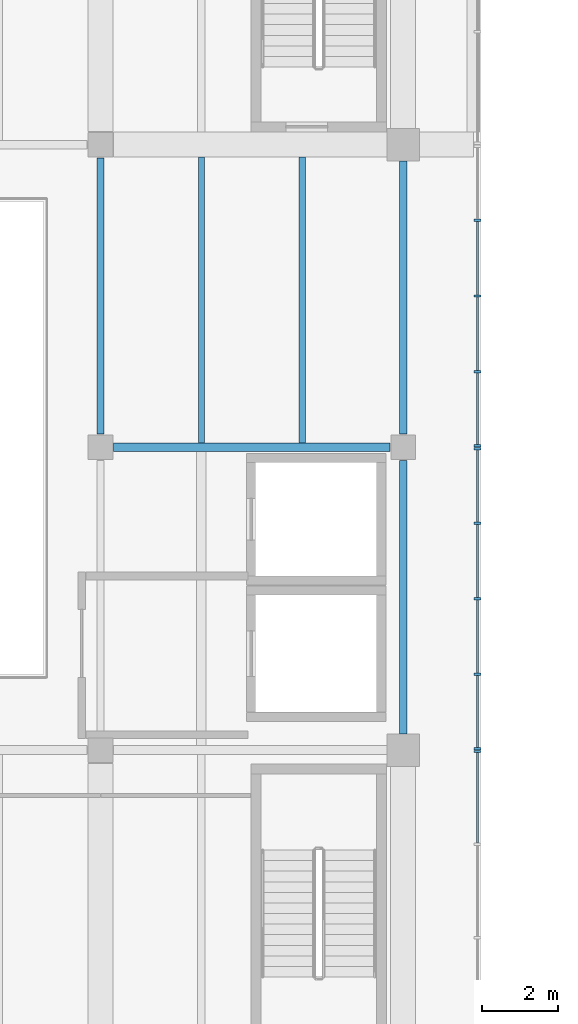
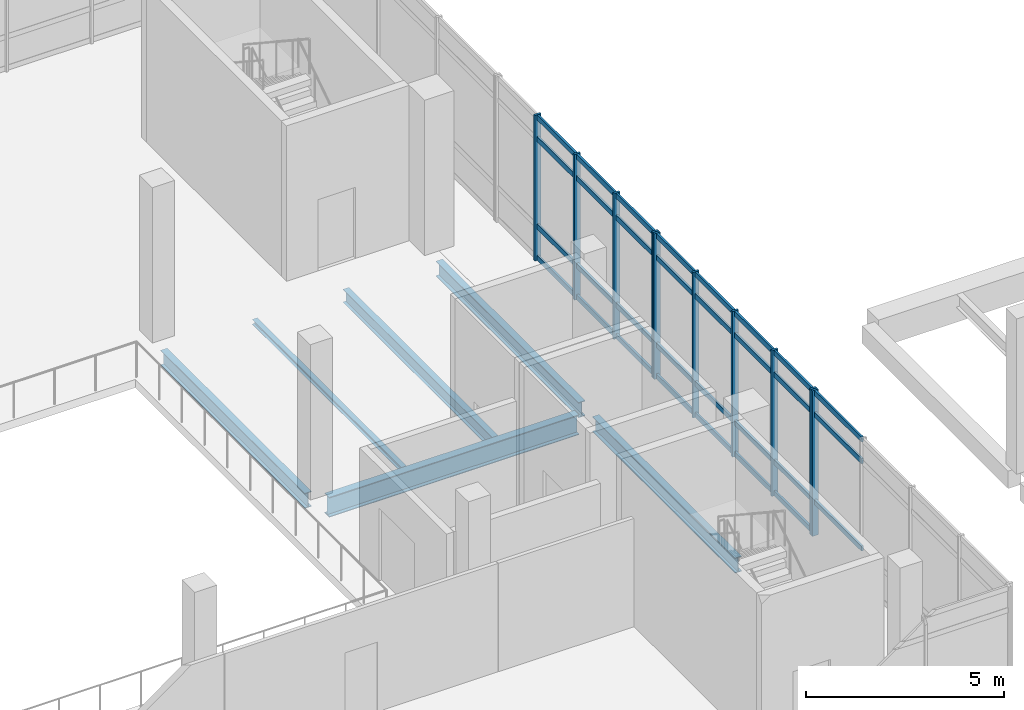
# One storey, part 8 of 28: 41 members, 6 beams, 3 elements without a shape of their own.
"""IFC4 building model written with IfcOpenShell, lengths in metres."""

from ifc_helpers import new_model, si_unit, direction, frame, origin, origin_2d, place, context, subcontext, project, spatial, rectangle, i_section, extrude, material, material_profile, profile_set, type_object, element, aggregate, save


model = new_model("IFC4")

# Units and contexts
model_context = context("Model", 3, precision=1e-05, world=origin(), true_north=direction((0.0, 1.0)))
body_context = subcontext(model_context, "Body", "Model", "MODEL_VIEW")
ifc_project = project(units=[si_unit("LENGTHUNIT", "METRE"), si_unit("AREAUNIT", "SQUARE_METRE"), si_unit("VOLUMEUNIT", "CUBIC_METRE"), si_unit("PLANEANGLEUNIT", "RADIAN"), si_unit("MASSUNIT", "GRAM", prefix="KILO")], contexts=[model_context])

# Site, building, storey
site_placement = place(None, origin())
site = spatial("IfcSite", under=ifc_project, at=site_placement, CompositionType="ELEMENT")
building_placement = place(site_placement, origin())
building = spatial("IfcBuilding", under=site, at=building_placement, Name="Pecanmere Concourse Central Library", CompositionType="ELEMENT")
storey_placement = place(building_placement, frame((0.0, 0.0, 20.10009765625)))
storey = spatial("IfcBuildingStorey", under=building, at=storey_placement, Name="L05", CompositionType="ELEMENT", Elevation=20.10009765625)

# Curtain wall, member
ifc_material_1 = material(Name="Anodized bronze aluminium alloy 6063-T6", Category="aluminium")
curtain_wall_type = type_object("IfcCurtainWallType", Name="CW_PLUMB_BANDED", PredefinedType="USERDEFINED", material=ifc_material_1)
curtain_wall_1_placement = place(storey_placement, origin())
curtain_wall_1 = element("IfcCurtainWall", 1, at=curtain_wall_1_placement, inside=storey, type_object=curtain_wall_type, Name="Unitised Curtain Wall CW-02 L05-062", ObjectType="UNITISED CURTAIN WALL", PredefinedType="USERDEFINED")
ifc_material_2 = material(Name="Anodized bronze aluminium alloy 6063-T6", Category="aluminium")
ifc_material_profile_1 = material_profile(ifc_material_2, rectangle(XDim=0.06494140625, YDim=0.179931640625, at=origin_2d()), Name="AL 65x180")
ifc_profile_set_1 = profile_set([ifc_material_profile_1], Name="Anodized bronze aluminium alloy 6063-T6")
member_type_1 = type_object("IfcMemberType", Name="CWM_180x65", PredefinedType="MULLION", material=ifc_profile_set_1)
member_1_placement = place(storey_placement, frame((105.96142578125, 97.96240234375, 0.0), z_axis=(0.0, 0.0, 1.0), x_axis=(0.0, 1.0, 0.0)))
member_1 = element("IfcMember", 2, at=member_1_placement, type_object=member_type_1, Name="CW-02 Mullion 5", PredefinedType="MULLION", context=body_context, shape_type="SweptSolid", body=[
    extrude(rectangle(XDim=0.06494140625, YDim=0.179931640625, at=origin_2d()), origin(), (0.0, 0.0, 1.0), 4.5),
])

# Curtain wall, members
curtain_wall_2_placement = place(storey_placement, origin())
curtain_wall_2 = element("IfcCurtainWall", 3, at=curtain_wall_2_placement, inside=storey, type_object=curtain_wall_type, Name="Unitised Curtain Wall CW-02 L05-063", ObjectType="UNITISED CURTAIN WALL", PredefinedType="USERDEFINED")
member_2_placement = place(storey_placement, frame((105.96142578125, 98.03759765625, 0.0), z_axis=(0.0, 0.0, 1.0), x_axis=(0.0, 1.0, 0.0)))
member_2 = element("IfcMember", 4, at=member_2_placement, type_object=member_type_1, Name="CW-02 Mullion 1", PredefinedType="MULLION", context=body_context, shape_type="SweptSolid", body=[
    extrude(rectangle(XDim=0.06494140625, YDim=0.179931640625, at=origin_2d()), origin(), (0.0, 0.0, 1.0), 4.5),
])
member_3_placement = place(storey_placement, frame((105.96142578125, 100.00244140625, 0.0), z_axis=(0.0, 0.0, 1.0), x_axis=(0.0, 1.0, 0.0)))
member_3 = element("IfcMember", 5, at=member_3_placement, type_object=member_type_1, Name="CW-02 Mullion 2", PredefinedType="MULLION", context=body_context, shape_type="SweptSolid", body=[
    extrude(rectangle(XDim=0.06494140625, YDim=0.179931640625, at=origin_2d()), origin(), (0.0, 0.0, 1.0), 4.5),
])
member_4_placement = place(storey_placement, frame((105.96142578125, 102.0, 0.0), z_axis=(0.0, 0.0, 1.0), x_axis=(0.0, 1.0, 0.0)))
member_4 = element("IfcMember", 6, at=member_4_placement, type_object=member_type_1, Name="CW-02 Mullion 3", PredefinedType="MULLION", context=body_context, shape_type="SweptSolid", body=[
    extrude(rectangle(XDim=0.06494140625, YDim=0.179931640625, at=origin_2d()), origin(), (0.0, 0.0, 1.0), 4.5),
])
member_5_placement = place(storey_placement, frame((105.96142578125, 103.99755859375, 0.0), z_axis=(0.0, 0.0, 1.0), x_axis=(0.0, 1.0, 0.0)))
member_5 = element("IfcMember", 7, at=member_5_placement, type_object=member_type_1, Name="CW-02 Mullion 4", PredefinedType="MULLION", context=body_context, shape_type="SweptSolid", body=[
    extrude(rectangle(XDim=0.06494140625, YDim=0.179931640625, at=origin_2d()), origin(), (0.0, 0.0, 1.0), 4.5),
])
member_6_placement = place(storey_placement, frame((105.96142578125, 105.96240234375, 0.0), z_axis=(0.0, 0.0, 1.0), x_axis=(0.0, 1.0, 0.0)))
member_6 = element("IfcMember", 8, at=member_6_placement, type_object=member_type_1, Name="CW-02 Mullion 5", PredefinedType="MULLION", context=body_context, shape_type="SweptSolid", body=[
    extrude(rectangle(XDim=0.06494140625, YDim=0.179931640625, at=origin_2d()), origin(), (0.0, 0.0, 1.0), 4.5),
])

curtain_wall_3_placement = place(storey_placement, origin())
curtain_wall_3 = element("IfcCurtainWall", 9, at=curtain_wall_3_placement, inside=storey, type_object=curtain_wall_type, Name="Unitised Curtain Wall CW-02 L05-064", ObjectType="UNITISED CURTAIN WALL", PredefinedType="USERDEFINED")
member_7_placement = place(storey_placement, frame((105.96142578125, 106.03759765625, 0.0), z_axis=(0.0, 0.0, 1.0), x_axis=(0.0, 1.0, 0.0)))
member_7 = element("IfcMember", 10, at=member_7_placement, type_object=member_type_1, Name="CW-02 Mullion 1", PredefinedType="MULLION", context=body_context, shape_type="SweptSolid", body=[
    extrude(rectangle(XDim=0.06494140625, YDim=0.179931640625, at=origin_2d()), origin(), (0.0, 0.0, 1.0), 4.5),
])
member_8_placement = place(storey_placement, frame((105.96142578125, 108.00244140625, 0.0), z_axis=(0.0, 0.0, 1.0), x_axis=(0.0, 1.0, 0.0)))
member_8 = element("IfcMember", 11, at=member_8_placement, type_object=member_type_1, Name="CW-02 Mullion 2", PredefinedType="MULLION", context=body_context, shape_type="SweptSolid", body=[
    extrude(rectangle(XDim=0.06494140625, YDim=0.179931640625, at=origin_2d()), origin(), (0.0, 0.0, 1.0), 4.5),
])
member_9_placement = place(storey_placement, frame((105.96142578125, 110.0, 0.0), z_axis=(0.0, 0.0, 1.0), x_axis=(0.0, 1.0, 0.0)))
member_9 = element("IfcMember", 12, at=member_9_placement, type_object=member_type_1, Name="CW-02 Mullion 3", PredefinedType="MULLION", context=body_context, shape_type="SweptSolid", body=[
    extrude(rectangle(XDim=0.06494140625, YDim=0.179931640625, at=origin_2d()), origin(), (0.0, 0.0, 1.0), 4.5),
])
member_10_placement = place(storey_placement, frame((105.96142578125, 111.99755859375, 0.0), z_axis=(0.0, 0.0, 1.0), x_axis=(0.0, 1.0, 0.0)))
member_10 = element("IfcMember", 13, at=member_10_placement, type_object=member_type_1, Name="CW-02 Mullion 4", PredefinedType="MULLION", context=body_context, shape_type="SweptSolid", body=[
    extrude(rectangle(XDim=0.06494140625, YDim=0.179931640625, at=origin_2d()), origin(), (0.0, 0.0, 1.0), 4.5),
])

# Member
ifc_material_3 = material(Name="Anodized bronze aluminium alloy 6063-T6", Category="aluminium")
ifc_material_profile_2 = material_profile(ifc_material_3, rectangle(XDim=0.06005859375, YDim=0.159912109375, at=origin_2d()), Name="AL 60x160")
ifc_profile_set_2 = profile_set([ifc_material_profile_2], Name="Anodized bronze aluminium alloy 6063-T6")
member_type_2 = type_object("IfcMemberType", Name="CWT_160x60", PredefinedType="USERDEFINED", material=ifc_profile_set_2)
member_11_placement = place(storey_placement, frame((105.96142578125, 95.54833984375, 1.0498046875), z_axis=(0.0, 1.0, 0.0), x_axis=(-1.0, 0.0, 0.0)))
member_11 = element("IfcMember", 14, at=member_11_placement, type_object=member_type_2, Name="CW-02 Transom 4.2", ObjectType="TRANSOM", PredefinedType="USERDEFINED", context=body_context, shape_type="SweptSolid", body=[
    extrude(rectangle(XDim=0.06005859375, YDim=0.159912109375, at=origin_2d()), origin(), (0.0, 0.0, 1.0), 2.381591796875),
])

member_12_placement = place(storey_placement, frame((105.96142578125, 95.54833984375, 3.75), z_axis=(0.0, 1.0, 0.0), x_axis=(-1.0, 0.0, 0.0)))
member_12 = element("IfcMember", 15, at=member_12_placement, type_object=member_type_2, Name="CW-02 Transom 4.3", ObjectType="TRANSOM", PredefinedType="USERDEFINED", context=body_context, shape_type="SweptSolid", body=[
    extrude(rectangle(XDim=0.06005859375, YDim=0.159912109375, at=origin_2d()), origin(), (0.0, 0.0, 1.0), 2.381591796875),
])

member_13_placement = place(storey_placement, frame((105.96142578125, 95.54833984375, 4.419921875), z_axis=(0.0, 1.0, 0.0), x_axis=(-1.0, 0.0, 0.0)))
member_13 = element("IfcMember", 16, at=member_13_placement, type_object=member_type_2, Name="CW-02 Transom 4.4", ObjectType="TRANSOM", PredefinedType="USERDEFINED", context=body_context, shape_type="SweptSolid", body=[
    extrude(rectangle(XDim=0.06005859375, YDim=0.159912109375, at=origin_2d()), origin(), (0.0, 0.0, 1.0), 2.381591796875),
])

aggregate(curtain_wall_1, [member_1, member_11, member_12, member_13])

member_14_placement = place(storey_placement, frame((105.96142578125, 98.070068359375, 0.079833984375), z_axis=(0.0, 1.0, 0.0), x_axis=(-1.0, 0.0, 0.0)))
member_14 = element("IfcMember", 17, at=member_14_placement, type_object=member_type_2, Name="CW-02 Transom 1.1", ObjectType="TRANSOM", PredefinedType="USERDEFINED", context=body_context, shape_type="SweptSolid", body=[
    extrude(rectangle(XDim=0.06005859375, YDim=0.159912109375, at=origin_2d()), origin(), (0.0, 0.0, 1.0), 1.89990234375),
])

member_15_placement = place(storey_placement, frame((105.96142578125, 98.070068359375, 1.0498046875), z_axis=(0.0, 1.0, 0.0), x_axis=(-1.0, 0.0, 0.0)))
member_15 = element("IfcMember", 18, at=member_15_placement, type_object=member_type_2, Name="CW-02 Transom 1.2", ObjectType="TRANSOM", PredefinedType="USERDEFINED", context=body_context, shape_type="SweptSolid", body=[
    extrude(rectangle(XDim=0.06005859375, YDim=0.159912109375, at=origin_2d()), origin(), (0.0, 0.0, 1.0), 1.89990234375),
])

member_16_placement = place(storey_placement, frame((105.96142578125, 98.070068359375, 3.75), z_axis=(0.0, 1.0, 0.0), x_axis=(-1.0, 0.0, 0.0)))
member_16 = element("IfcMember", 19, at=member_16_placement, type_object=member_type_2, Name="CW-02 Transom 1.3", ObjectType="TRANSOM", PredefinedType="USERDEFINED", context=body_context, shape_type="SweptSolid", body=[
    extrude(rectangle(XDim=0.06005859375, YDim=0.159912109375, at=origin_2d()), origin(), (0.0, 0.0, 1.0), 1.89990234375),
])

member_17_placement = place(storey_placement, frame((105.96142578125, 98.070068359375, 4.419921875), z_axis=(0.0, 1.0, 0.0), x_axis=(-1.0, 0.0, 0.0)))
member_17 = element("IfcMember", 20, at=member_17_placement, type_object=member_type_2, Name="CW-02 Transom 1.4", ObjectType="TRANSOM", PredefinedType="USERDEFINED", context=body_context, shape_type="SweptSolid", body=[
    extrude(rectangle(XDim=0.06005859375, YDim=0.159912109375, at=origin_2d()), origin(), (0.0, 0.0, 1.0), 1.89990234375),
])

member_18_placement = place(storey_placement, frame((105.96142578125, 100.034912109375, 0.079833984375), z_axis=(0.0, 1.0, 0.0), x_axis=(-1.0, 0.0, 0.0)))
member_18 = element("IfcMember", 21, at=member_18_placement, type_object=member_type_2, Name="CW-02 Transom 2.1", ObjectType="TRANSOM", PredefinedType="USERDEFINED", context=body_context, shape_type="SweptSolid", body=[
    extrude(rectangle(XDim=0.06005859375, YDim=0.159912109375, at=origin_2d()), origin(), (0.0, 0.0, 1.0), 1.9326171875),
])

member_19_placement = place(storey_placement, frame((105.96142578125, 100.034912109375, 1.0498046875), z_axis=(0.0, 1.0, 0.0), x_axis=(-1.0, 0.0, 0.0)))
member_19 = element("IfcMember", 22, at=member_19_placement, type_object=member_type_2, Name="CW-02 Transom 2.2", ObjectType="TRANSOM", PredefinedType="USERDEFINED", context=body_context, shape_type="SweptSolid", body=[
    extrude(rectangle(XDim=0.06005859375, YDim=0.159912109375, at=origin_2d()), origin(), (0.0, 0.0, 1.0), 1.9326171875),
])

member_20_placement = place(storey_placement, frame((105.96142578125, 100.034912109375, 3.75), z_axis=(0.0, 1.0, 0.0), x_axis=(-1.0, 0.0, 0.0)))
member_20 = element("IfcMember", 23, at=member_20_placement, type_object=member_type_2, Name="CW-02 Transom 2.3", ObjectType="TRANSOM", PredefinedType="USERDEFINED", context=body_context, shape_type="SweptSolid", body=[
    extrude(rectangle(XDim=0.06005859375, YDim=0.159912109375, at=origin_2d()), origin(), (0.0, 0.0, 1.0), 1.9326171875),
])

member_21_placement = place(storey_placement, frame((105.96142578125, 100.034912109375, 4.419921875), z_axis=(0.0, 1.0, 0.0), x_axis=(-1.0, 0.0, 0.0)))
member_21 = element("IfcMember", 24, at=member_21_placement, type_object=member_type_2, Name="CW-02 Transom 2.4", ObjectType="TRANSOM", PredefinedType="USERDEFINED", context=body_context, shape_type="SweptSolid", body=[
    extrude(rectangle(XDim=0.06005859375, YDim=0.159912109375, at=origin_2d()), origin(), (0.0, 0.0, 1.0), 1.9326171875),
])

member_22_placement = place(storey_placement, frame((105.96142578125, 102.032470703125, 0.079833984375), z_axis=(0.0, 1.0, 0.0), x_axis=(-1.0, 0.0, 0.0)))
member_22 = element("IfcMember", 25, at=member_22_placement, type_object=member_type_2, Name="CW-02 Transom 3.1", ObjectType="TRANSOM", PredefinedType="USERDEFINED", context=body_context, shape_type="SweptSolid", body=[
    extrude(rectangle(XDim=0.06005859375, YDim=0.159912109375, at=origin_2d()), origin(), (0.0, 0.0, 1.0), 1.9326171875),
])

member_23_placement = place(storey_placement, frame((105.96142578125, 102.032470703125, 1.0498046875), z_axis=(0.0, 1.0, 0.0), x_axis=(-1.0, 0.0, 0.0)))
member_23 = element("IfcMember", 26, at=member_23_placement, type_object=member_type_2, Name="CW-02 Transom 3.2", ObjectType="TRANSOM", PredefinedType="USERDEFINED", context=body_context, shape_type="SweptSolid", body=[
    extrude(rectangle(XDim=0.06005859375, YDim=0.159912109375, at=origin_2d()), origin(), (0.0, 0.0, 1.0), 1.9326171875),
])

member_24_placement = place(storey_placement, frame((105.96142578125, 102.032470703125, 3.75), z_axis=(0.0, 1.0, 0.0), x_axis=(-1.0, 0.0, 0.0)))
member_24 = element("IfcMember", 27, at=member_24_placement, type_object=member_type_2, Name="CW-02 Transom 3.3", ObjectType="TRANSOM", PredefinedType="USERDEFINED", context=body_context, shape_type="SweptSolid", body=[
    extrude(rectangle(XDim=0.06005859375, YDim=0.159912109375, at=origin_2d()), origin(), (0.0, 0.0, 1.0), 1.9326171875),
])

member_25_placement = place(storey_placement, frame((105.96142578125, 102.032470703125, 4.419921875), z_axis=(0.0, 1.0, 0.0), x_axis=(-1.0, 0.0, 0.0)))
member_25 = element("IfcMember", 28, at=member_25_placement, type_object=member_type_2, Name="CW-02 Transom 3.4", ObjectType="TRANSOM", PredefinedType="USERDEFINED", context=body_context, shape_type="SweptSolid", body=[
    extrude(rectangle(XDim=0.06005859375, YDim=0.159912109375, at=origin_2d()), origin(), (0.0, 0.0, 1.0), 1.9326171875),
])

member_26_placement = place(storey_placement, frame((105.96142578125, 104.030029296875, 0.079833984375), z_axis=(0.0, 1.0, 0.0), x_axis=(-1.0, 0.0, 0.0)))
member_26 = element("IfcMember", 29, at=member_26_placement, type_object=member_type_2, Name="CW-02 Transom 4.1", ObjectType="TRANSOM", PredefinedType="USERDEFINED", context=body_context, shape_type="SweptSolid", body=[
    extrude(rectangle(XDim=0.06005859375, YDim=0.159912109375, at=origin_2d()), origin(), (0.0, 0.0, 1.0), 1.89990234375),
])

member_27_placement = place(storey_placement, frame((105.96142578125, 104.030029296875, 1.0498046875), z_axis=(0.0, 1.0, 0.0), x_axis=(-1.0, 0.0, 0.0)))
member_27 = element("IfcMember", 30, at=member_27_placement, type_object=member_type_2, Name="CW-02 Transom 4.2", ObjectType="TRANSOM", PredefinedType="USERDEFINED", context=body_context, shape_type="SweptSolid", body=[
    extrude(rectangle(XDim=0.06005859375, YDim=0.159912109375, at=origin_2d()), origin(), (0.0, 0.0, 1.0), 1.89990234375),
])

member_28_placement = place(storey_placement, frame((105.96142578125, 104.030029296875, 3.75), z_axis=(0.0, 1.0, 0.0), x_axis=(-1.0, 0.0, 0.0)))
member_28 = element("IfcMember", 31, at=member_28_placement, type_object=member_type_2, Name="CW-02 Transom 4.3", ObjectType="TRANSOM", PredefinedType="USERDEFINED", context=body_context, shape_type="SweptSolid", body=[
    extrude(rectangle(XDim=0.06005859375, YDim=0.159912109375, at=origin_2d()), origin(), (0.0, 0.0, 1.0), 1.89990234375),
])

member_29_placement = place(storey_placement, frame((105.96142578125, 104.030029296875, 4.419921875), z_axis=(0.0, 1.0, 0.0), x_axis=(-1.0, 0.0, 0.0)))
member_29 = element("IfcMember", 32, at=member_29_placement, type_object=member_type_2, Name="CW-02 Transom 4.4", ObjectType="TRANSOM", PredefinedType="USERDEFINED", context=body_context, shape_type="SweptSolid", body=[
    extrude(rectangle(XDim=0.06005859375, YDim=0.159912109375, at=origin_2d()), origin(), (0.0, 0.0, 1.0), 1.89990234375),
])

aggregate(curtain_wall_2, [member_2, member_3, member_4, member_5, member_6, member_14, member_15, member_16, member_17, member_18, member_19, member_20, member_21, member_22, member_23, member_24, member_25, member_26, member_27, member_28, member_29])

member_30_placement = place(storey_placement, frame((105.96142578125, 106.070068359375, 0.079833984375), z_axis=(0.0, 1.0, 0.0), x_axis=(-1.0, 0.0, 0.0)))
member_30 = element("IfcMember", 33, at=member_30_placement, type_object=member_type_2, Name="CW-02 Transom 1.1", ObjectType="TRANSOM", PredefinedType="USERDEFINED", context=body_context, shape_type="SweptSolid", body=[
    extrude(rectangle(XDim=0.06005859375, YDim=0.159912109375, at=origin_2d()), origin(), (0.0, 0.0, 1.0), 1.89990234375),
])

member_31_placement = place(storey_placement, frame((105.96142578125, 106.070068359375, 1.0498046875), z_axis=(0.0, 1.0, 0.0), x_axis=(-1.0, 0.0, 0.0)))
member_31 = element("IfcMember", 34, at=member_31_placement, type_object=member_type_2, Name="CW-02 Transom 1.2", ObjectType="TRANSOM", PredefinedType="USERDEFINED", context=body_context, shape_type="SweptSolid", body=[
    extrude(rectangle(XDim=0.06005859375, YDim=0.159912109375, at=origin_2d()), origin(), (0.0, 0.0, 1.0), 1.89990234375),
])

member_32_placement = place(storey_placement, frame((105.96142578125, 106.070068359375, 3.75), z_axis=(0.0, 1.0, 0.0), x_axis=(-1.0, 0.0, 0.0)))
member_32 = element("IfcMember", 35, at=member_32_placement, type_object=member_type_2, Name="CW-02 Transom 1.3", ObjectType="TRANSOM", PredefinedType="USERDEFINED", context=body_context, shape_type="SweptSolid", body=[
    extrude(rectangle(XDim=0.06005859375, YDim=0.159912109375, at=origin_2d()), origin(), (0.0, 0.0, 1.0), 1.89990234375),
])

member_33_placement = place(storey_placement, frame((105.96142578125, 106.070068359375, 4.419921875), z_axis=(0.0, 1.0, 0.0), x_axis=(-1.0, 0.0, 0.0)))
member_33 = element("IfcMember", 36, at=member_33_placement, type_object=member_type_2, Name="CW-02 Transom 1.4", ObjectType="TRANSOM", PredefinedType="USERDEFINED", context=body_context, shape_type="SweptSolid", body=[
    extrude(rectangle(XDim=0.06005859375, YDim=0.159912109375, at=origin_2d()), origin(), (0.0, 0.0, 1.0), 1.89990234375),
])

member_34_placement = place(storey_placement, frame((105.96142578125, 108.034912109375, 0.079833984375), z_axis=(0.0, 1.0, 0.0), x_axis=(-1.0, 0.0, 0.0)))
member_34 = element("IfcMember", 37, at=member_34_placement, type_object=member_type_2, Name="CW-02 Transom 2.1", ObjectType="TRANSOM", PredefinedType="USERDEFINED", context=body_context, shape_type="SweptSolid", body=[
    extrude(rectangle(XDim=0.06005859375, YDim=0.159912109375, at=origin_2d()), origin(), (0.0, 0.0, 1.0), 1.9326171875),
])

member_35_placement = place(storey_placement, frame((105.96142578125, 108.034912109375, 1.0498046875), z_axis=(0.0, 1.0, 0.0), x_axis=(-1.0, 0.0, 0.0)))
member_35 = element("IfcMember", 38, at=member_35_placement, type_object=member_type_2, Name="CW-02 Transom 2.2", ObjectType="TRANSOM", PredefinedType="USERDEFINED", context=body_context, shape_type="SweptSolid", body=[
    extrude(rectangle(XDim=0.06005859375, YDim=0.159912109375, at=origin_2d()), origin(), (0.0, 0.0, 1.0), 1.9326171875),
])

member_36_placement = place(storey_placement, frame((105.96142578125, 108.034912109375, 3.75), z_axis=(0.0, 1.0, 0.0), x_axis=(-1.0, 0.0, 0.0)))
member_36 = element("IfcMember", 39, at=member_36_placement, type_object=member_type_2, Name="CW-02 Transom 2.3", ObjectType="TRANSOM", PredefinedType="USERDEFINED", context=body_context, shape_type="SweptSolid", body=[
    extrude(rectangle(XDim=0.06005859375, YDim=0.159912109375, at=origin_2d()), origin(), (0.0, 0.0, 1.0), 1.9326171875),
])

member_37_placement = place(storey_placement, frame((105.96142578125, 108.034912109375, 4.419921875), z_axis=(0.0, 1.0, 0.0), x_axis=(-1.0, 0.0, 0.0)))
member_37 = element("IfcMember", 40, at=member_37_placement, type_object=member_type_2, Name="CW-02 Transom 2.4", ObjectType="TRANSOM", PredefinedType="USERDEFINED", context=body_context, shape_type="SweptSolid", body=[
    extrude(rectangle(XDim=0.06005859375, YDim=0.159912109375, at=origin_2d()), origin(), (0.0, 0.0, 1.0), 1.9326171875),
])

member_38_placement = place(storey_placement, frame((105.96142578125, 110.032470703125, 0.079833984375), z_axis=(0.0, 1.0, 0.0), x_axis=(-1.0, 0.0, 0.0)))
member_38 = element("IfcMember", 41, at=member_38_placement, type_object=member_type_2, Name="CW-02 Transom 3.1", ObjectType="TRANSOM", PredefinedType="USERDEFINED", context=body_context, shape_type="SweptSolid", body=[
    extrude(rectangle(XDim=0.06005859375, YDim=0.159912109375, at=origin_2d()), origin(), (0.0, 0.0, 1.0), 1.9326171875),
])

member_39_placement = place(storey_placement, frame((105.96142578125, 110.032470703125, 1.0498046875), z_axis=(0.0, 1.0, 0.0), x_axis=(-1.0, 0.0, 0.0)))
member_39 = element("IfcMember", 42, at=member_39_placement, type_object=member_type_2, Name="CW-02 Transom 3.2", ObjectType="TRANSOM", PredefinedType="USERDEFINED", context=body_context, shape_type="SweptSolid", body=[
    extrude(rectangle(XDim=0.06005859375, YDim=0.159912109375, at=origin_2d()), origin(), (0.0, 0.0, 1.0), 1.9326171875),
])

member_40_placement = place(storey_placement, frame((105.96142578125, 110.032470703125, 3.75), z_axis=(0.0, 1.0, 0.0), x_axis=(-1.0, 0.0, 0.0)))
member_40 = element("IfcMember", 43, at=member_40_placement, type_object=member_type_2, Name="CW-02 Transom 3.3", ObjectType="TRANSOM", PredefinedType="USERDEFINED", context=body_context, shape_type="SweptSolid", body=[
    extrude(rectangle(XDim=0.06005859375, YDim=0.159912109375, at=origin_2d()), origin(), (0.0, 0.0, 1.0), 1.9326171875),
])

member_41_placement = place(storey_placement, frame((105.96142578125, 110.032470703125, 4.419921875), z_axis=(0.0, 1.0, 0.0), x_axis=(-1.0, 0.0, 0.0)))
member_41 = element("IfcMember", 44, at=member_41_placement, type_object=member_type_2, Name="CW-02 Transom 3.4", ObjectType="TRANSOM", PredefinedType="USERDEFINED", context=body_context, shape_type="SweptSolid", body=[
    extrude(rectangle(XDim=0.06005859375, YDim=0.159912109375, at=origin_2d()), origin(), (0.0, 0.0, 1.0), 1.9326171875),
])

aggregate(curtain_wall_3, [member_7, member_8, member_9, member_10, member_30, member_31, member_32, member_33, member_34, member_35, member_36, member_37, member_38, member_39, member_40, member_41])

# Beams
ifc_material_4 = material(Name="Structural steel ASTM A992 Grade 50", Category="steel")
ifc_material_profile_3 = material_profile(ifc_material_4, i_section(OverallWidth=0.152099609375, OverallDepth=0.152099609375, WebThickness=0.005859375, FlangeThickness=0.006591796875, at=origin_2d()), Name="W150x22.5")
ifc_profile_set_3 = profile_set([ifc_material_profile_3], Name="Structural steel ASTM A992 Grade 50")
beam_type_1 = type_object("IfcBeamType", Name="SBM_W150x22", PredefinedType="LINTEL", material=ifc_profile_set_3)
beam_1_placement = place(storey_placement, frame((98.666748046875, 106.114990234375, -0.356201171875), z_axis=(0.0, 1.0, 0.0), x_axis=(-1.0, 0.0, 0.0)))
element("IfcBeam", 45, at=beam_1_placement, inside=storey, type_object=beam_type_1, Name="Secondary Floor Joist L05-2595", PredefinedType="LINTEL", context=body_context, shape_type="SweptSolid", body=[
    extrude(i_section(OverallWidth=0.152099609375, OverallDepth=0.152099609375, WebThickness=0.005859375, FlangeThickness=0.006591796875, at=origin_2d()), origin(), (0.0, 0.0, 1.0), 7.554931640625),
])
ifc_material_5 = material(Name="Structural steel ASTM A992 Grade 50", Category="steel")
ifc_material_profile_4 = material_profile(ifc_material_5, i_section(OverallWidth=0.177978515625, OverallDepth=0.406982421875, WebThickness=0.0078125, FlangeThickness=0.0126953125, at=origin_2d()), Name="W410x60")
ifc_profile_set_4 = profile_set([ifc_material_profile_4], Name="Structural steel ASTM A992 Grade 50")
beam_type_2 = type_object("IfcBeamType", Name="SBM_W410x60", PredefinedType="JOIST", material=ifc_profile_set_4)
beam_2_placement = place(storey_placement, frame((101.333251953125, 106.114990234375, -0.483642578125), z_axis=(0.0, 1.0, 0.0), x_axis=(-1.0, 0.0, 0.0)))
element("IfcBeam", 46, at=beam_2_placement, inside=storey, type_object=beam_type_2, Name="Secondary Floor Joist L05-2596", PredefinedType="JOIST", context=body_context, shape_type="SweptSolid", body=[
    extrude(i_section(OverallWidth=0.177978515625, OverallDepth=0.406982421875, WebThickness=0.0078125, FlangeThickness=0.0126953125, at=origin_2d()), origin(), (0.0, 0.0, 1.0), 7.554931640625),
])
ifc_material_6 = material(Name="Structural steel ASTM A992 Grade 50", Category="steel")
ifc_material_profile_5 = material_profile(ifc_material_6, i_section(OverallWidth=0.194091796875, OverallDepth=0.468994140625, WebThickness=0.0126953125, FlangeThickness=0.0205078125, at=origin_2d()), Name="W460x106")
ifc_profile_set_5 = profile_set([ifc_material_profile_5], Name="Structural steel ASTM A992 Grade 50")
beam_type_3 = type_object("IfcBeamType", Name="SBM_W460x106", PredefinedType="USERDEFINED", material=ifc_profile_set_5)
beam_3_placement = place(storey_placement, frame((96.0, 106.35009765625, -0.5146484375), z_axis=(0.0, 1.0, 0.0), x_axis=(-1.0, 0.0, 0.0)))
element("IfcBeam", 47, at=beam_3_placement, inside=storey, type_object=beam_type_3, Name="Primary Girder Y L05-2517", ObjectType="GIRDER", PredefinedType="USERDEFINED", context=body_context, shape_type="SweptSolid", body=[
    extrude(i_section(OverallWidth=0.194091796875, OverallDepth=0.468994140625, WebThickness=0.0126953125, FlangeThickness=0.0205078125, at=origin_2d()), origin(), (0.0, 0.0, 1.0), 7.2998046875),
])
for number, where, z_axis, x_axis, name in (
    (48, (104.0, 98.429931640625, -0.5146484375), (0.0, 1.0, 0.0), (-1.0, 0.0, 0.0), "Primary Girder Y L05-2520"),
    (49, (104.0, 106.35009765625, -0.5146484375), (0.0, 1.0, 0.0), (-1.0, 0.0, 0.0), "Primary Girder Y L05-2521"),
):
    element("IfcBeam", number, at=place(storey_placement, frame(where, z_axis=z_axis, x_axis=x_axis)), inside=storey, type_object=beam_type_3, Name=name, ObjectType="GIRDER", PredefinedType="USERDEFINED", context=body_context, shape_type="SweptSolid", body=[
        extrude(i_section(OverallWidth=0.194091796875, OverallDepth=0.468994140625, WebThickness=0.0126953125, FlangeThickness=0.0205078125, at=origin_2d()), origin(), (0.0, 0.0, 1.0), 7.219970703125),
    ])
ifc_material_7 = material(Name="Structural steel ASTM A992 Grade 50", Category="steel")
ifc_material_profile_6 = material_profile(ifc_material_7, i_section(OverallWidth=0.22998046875, OverallDepth=0.616943359375, WebThickness=0.01318359375, FlangeThickness=0.022216796875, at=origin_2d()), Name="W610x140")
ifc_profile_set_6 = profile_set([ifc_material_profile_6], Name="Structural steel ASTM A992 Grade 50")
beam_type_4 = type_object("IfcBeamType", Name="SBM_W610x140", PredefinedType="USERDEFINED", material=ifc_profile_set_6)
beam_4_placement = place(storey_placement, frame((96.35009765625, 106.0, -0.588623046875), z_axis=(1.0, 0.0, 0.0), x_axis=(0.0, 1.0, 0.0)))
element("IfcBeam", 50, at=beam_4_placement, inside=storey, type_object=beam_type_4, Name="Primary Girder X L05-2473", ObjectType="GIRDER", PredefinedType="USERDEFINED", context=body_context, shape_type="SweptSolid", body=[
    extrude(i_section(OverallWidth=0.22998046875, OverallDepth=0.616943359375, WebThickness=0.01318359375, FlangeThickness=0.022216796875, at=origin_2d()), origin(), (0.0, 0.0, 1.0), 7.2998046875),
])

save(model, "model.ifc")
